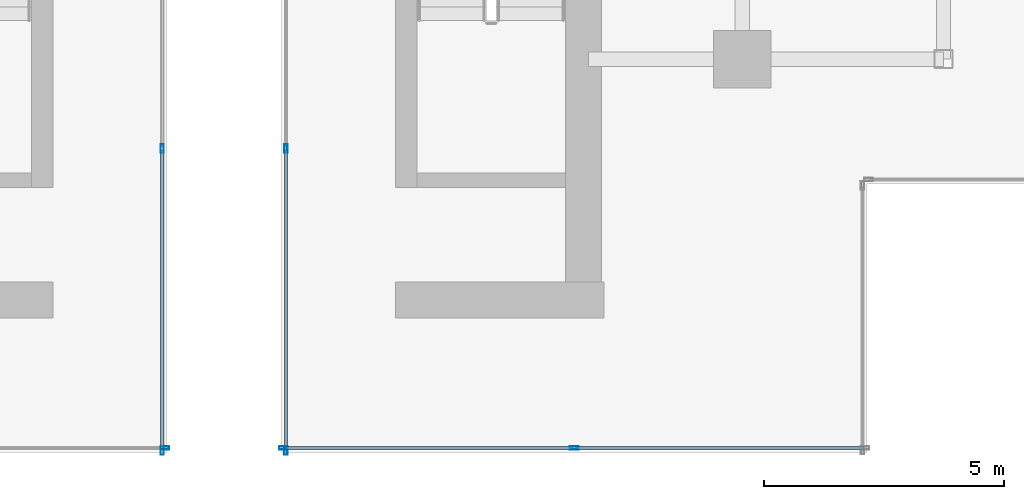
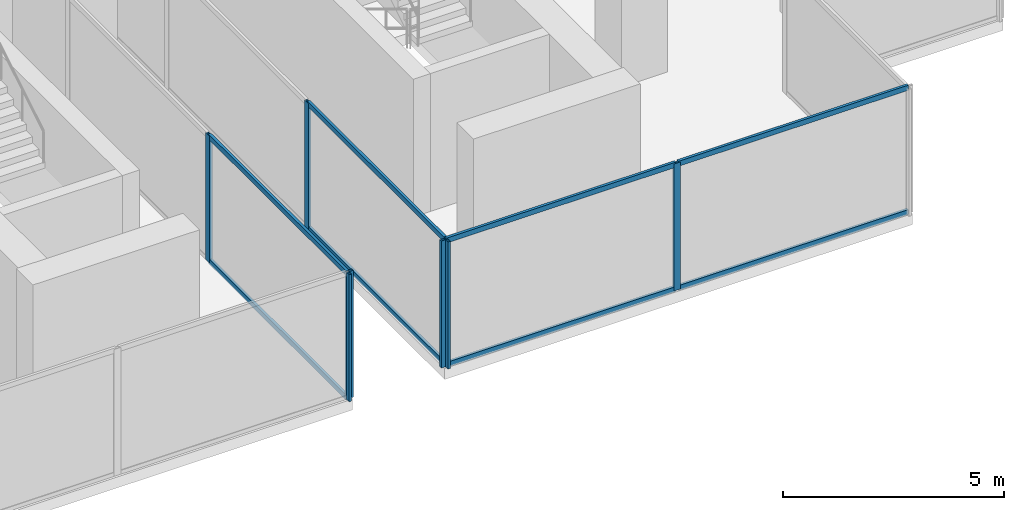
# One storey, part 5 of 25: 15 members, 4 elements without a shape of their own.
"""IFC4 building model written with IfcOpenShell, lengths in metres."""

from ifc_helpers import new_model, si_unit, direction, frame, origin, origin_2d, place, context, subcontext, project, spatial, hollow_rectangle, extrude, source, transform, mapped, material, material_profile, profile_set, type_object, type_shapes, element, aggregate, save


model = new_model("IFC4")

# Units and contexts
model_context = context("Model", 3, precision=1e-05, world=origin(), true_north=direction((0.0, 1.0)))
body_context = subcontext(model_context, "Body", "Model", "MODEL_VIEW")
ifc_project = project(units=[si_unit("LENGTHUNIT", "METRE"), si_unit("AREAUNIT", "SQUARE_METRE"), si_unit("VOLUMEUNIT", "CUBIC_METRE"), si_unit("PLANEANGLEUNIT", "RADIAN"), si_unit("MASSUNIT", "GRAM", prefix="KILO")], contexts=[model_context])

# Site, building, storey
site_placement = place(None, origin())
site = spatial("IfcSite", under=ifc_project, at=site_placement, CompositionType="ELEMENT")
building_placement = place(site_placement, origin())
building = spatial("IfcBuilding", under=site, at=building_placement, Name="Krantzveldt Concourse Tower", CompositionType="ELEMENT")
storey_placement = place(building_placement, frame((0.0, 0.0, 367.050048828125)))
storey = spatial("IfcBuildingStorey", under=building, at=storey_placement, Name="L90", CompositionType="ELEMENT", Elevation=367.050048828125)

# Curtain wall, member
ifc_material = material(Name="Anodised aluminium 6063-T6", Category="aluminium")
curtain_wall_type = type_object("IfcCurtainWallType", Name="CW7", PredefinedType="USERDEFINED", material=ifc_material)
curtain_wall_1_placement = place(storey_placement, origin())
curtain_wall_1 = element("IfcCurtainWall", 1, at=curtain_wall_1_placement, inside=storey, type_object=curtain_wall_type, Name="CW-L90-WEST-00", ObjectType="UNITISED CURTAIN WALL", PredefinedType="USERDEFINED")
ifc_material_profile_1 = material_profile(ifc_material, hollow_rectangle(XDim=0.070068359375, YDim=0.179931640625, WallThickness=0.0048828125, at=origin_2d()), Name="Anodised aluminium 6063-T6", Category="aluminium")
ifc_profile_set_1 = profile_set([ifc_material_profile_1], Name="Anodised aluminium 6063-T6 - ALU-MULL 180x70x5")
member_type_1 = type_object("IfcMemberType", Name="CW-MUL-180", PredefinedType="MULLION", material=ifc_profile_set_1)
shared_shape_1 = source(origin(), body_context, "Body", "SweptSolid", [
    extrude(hollow_rectangle(XDim=0.070068359375, YDim=0.179931640625, WallThickness=0.0048828125, at=origin_2d()), origin(), (0.0, 0.0, 1.0), 3.5),
])
type_shapes(member_type_1, [shared_shape_1])
member_1_placement = place(storey_placement, frame((34.764892578125, 7.7900390625, 0.0), z_axis=(0.0, 0.0, 1.0), x_axis=(0.0, 1.0, 0.0)))
member_1 = element("IfcMember", 2, at=member_1_placement, type_object=member_type_1, Name="CW-CRN mullion 3", PredefinedType="MULLION", context=body_context, shape_type="MappedRepresentation", body=[
    mapped(shared_shape_1, transform((0.0, 0.0, 0.0), x_axis=(1.0, 0.0, 0.0), y_axis=(0.0, 1.0, 0.0), z_axis=(0.0, 0.0, 1.0), scale=1.0)),
])
aggregate(curtain_wall_1, [member_1])

# Curtain wall, members
curtain_wall_2_placement = place(storey_placement, origin())
curtain_wall_2 = element("IfcCurtainWall", 3, at=curtain_wall_2_placement, inside=storey, type_object=curtain_wall_type, Name="CW-L90-WEST-01", ObjectType="UNITISED CURTAIN WALL", PredefinedType="USERDEFINED")
member_2_placement = place(storey_placement, frame((34.7099609375, 7.735107421875, 0.0), z_axis=(0.0, 0.0, 1.0), x_axis=(-1.0, 0.0, 0.0)))
member_2 = element("IfcMember", 4, at=member_2_placement, type_object=member_type_1, Name="CW-CRN mullion 1", PredefinedType="MULLION", context=body_context, shape_type="MappedRepresentation", body=[
    mapped(shared_shape_1, transform((0.0, 0.0, 0.0), x_axis=(1.0, 0.0, 0.0), y_axis=(0.0, 1.0, 0.0), z_axis=(0.0, 0.0, 1.0), scale=1.0)),
])
member_3_placement = place(storey_placement, frame((34.7099609375, 14.033447265625, 0.0), z_axis=(0.0, 0.0, 1.0), x_axis=(-1.0, 0.0, 0.0)))
member_3 = element("IfcMember", 5, at=member_3_placement, type_object=member_type_1, Name="CW-CRN mullion 2", PredefinedType="MULLION", context=body_context, shape_type="MappedRepresentation", body=[
    mapped(shared_shape_1, transform((0.0, 0.0, 0.0), x_axis=(1.0, 0.0, 0.0), y_axis=(0.0, 1.0, 0.0), z_axis=(0.0, 0.0, 1.0), scale=1.0)),
])

curtain_wall_3_placement = place(storey_placement, origin())
curtain_wall_3 = element("IfcCurtainWall", 6, at=curtain_wall_3_placement, inside=storey, type_object=curtain_wall_type, Name="CW-L90-EAST-00", ObjectType="UNITISED CURTAIN WALL", PredefinedType="USERDEFINED")
member_4_placement = place(storey_placement, frame((37.235107421875, 7.7900390625, 0.0), z_axis=(0.0, 0.0, 1.0), x_axis=(0.0, 1.0, 0.0)))
member_4 = element("IfcMember", 7, at=member_4_placement, type_object=member_type_1, Name="CW-CRN mullion 1", PredefinedType="MULLION", context=body_context, shape_type="MappedRepresentation", body=[
    mapped(shared_shape_1, transform((0.0, 0.0, 0.0), x_axis=(1.0, 0.0, 0.0), y_axis=(0.0, 1.0, 0.0), z_axis=(0.0, 0.0, 1.0), scale=1.0)),
])
member_5_placement = place(storey_placement, frame((43.300048828125, 7.7900390625, 0.0), z_axis=(0.0, 0.0, 1.0), x_axis=(0.0, 1.0, 0.0)))
member_5 = element("IfcMember", 8, at=member_5_placement, type_object=member_type_1, Name="CW-CRN mullion 2", PredefinedType="MULLION", context=body_context, shape_type="MappedRepresentation", body=[
    mapped(shared_shape_1, transform((0.0, 0.0, 0.0), x_axis=(1.0, 0.0, 0.0), y_axis=(0.0, 1.0, 0.0), z_axis=(0.0, 0.0, 1.0), scale=1.0)),
])

curtain_wall_4_placement = place(storey_placement, origin())
curtain_wall_4 = element("IfcCurtainWall", 9, at=curtain_wall_4_placement, inside=storey, type_object=curtain_wall_type, Name="CW-L90-EAST-07", ObjectType="UNITISED CURTAIN WALL", PredefinedType="USERDEFINED")
member_6_placement = place(storey_placement, frame((37.2900390625, 14.033447265625, 0.0), z_axis=(0.0, 0.0, 1.0), x_axis=(1.0, 0.0, 0.0)))
member_6 = element("IfcMember", 10, at=member_6_placement, type_object=member_type_1, Name="CW-CRN mullion 6", PredefinedType="MULLION", context=body_context, shape_type="MappedRepresentation", body=[
    mapped(shared_shape_1, transform((0.0, 0.0, 0.0), x_axis=(1.0, 0.0, 0.0), y_axis=(0.0, 1.0, 0.0), z_axis=(0.0, 0.0, 1.0), scale=1.0)),
])
member_7_placement = place(storey_placement, frame((37.2900390625, 7.735107421875, 0.0), z_axis=(0.0, 0.0, 1.0), x_axis=(1.0, 0.0, 0.0)))
member_7 = element("IfcMember", 11, at=member_7_placement, type_object=member_type_1, Name="CW-CRN mullion 7", PredefinedType="MULLION", context=body_context, shape_type="MappedRepresentation", body=[
    mapped(shared_shape_1, transform((0.0, 0.0, 0.0), x_axis=(1.0, 0.0, 0.0), y_axis=(0.0, 1.0, 0.0), z_axis=(0.0, 0.0, 1.0), scale=1.0)),
])

# Member
ifc_material_profile_2 = material_profile(ifc_material, hollow_rectangle(XDim=0.070068359375, YDim=0.139892578125, WallThickness=0.0048828125, at=origin_2d()), Name="Anodised aluminium 6063-T6", Category="aluminium")
ifc_profile_set_2 = profile_set([ifc_material_profile_2], Name="Anodised aluminium 6063-T6 - ALU-TRAN 140x70x5")
member_type_2 = type_object("IfcMemberType", Name="CW-TRN-150", PredefinedType="USERDEFINED", material=ifc_profile_set_2)
shared_shape_2 = source(origin(), body_context, "Body", "SweptSolid", [
    extrude(hollow_rectangle(XDim=0.070068359375, YDim=0.139892578125, WallThickness=0.0048828125, at=origin_2d()), origin(), (0.0, 0.0, 1.0), 5.9951171875),
])
member_8_placement = place(storey_placement, frame((43.3349609375, 7.7900390625, 0.034912109375), z_axis=(1.0, 0.0, 0.0), x_axis=(0.0, 1.0, 0.0)))
member_8 = element("IfcMember", 12, at=member_8_placement, type_object=member_type_2, Name="CW-CRN transom 2.1", ObjectType="TRANSOM", PredefinedType="USERDEFINED", context=body_context, shape_type="MappedRepresentation", body=[
    mapped(shared_shape_2, transform((0.0, 0.0, 0.0), x_axis=(1.0, 0.0, 0.0), y_axis=(0.0, 1.0, 0.0), z_axis=(0.0, 0.0, 1.0), scale=1.0)),
])

member_9_placement = place(storey_placement, frame((43.3349609375, 7.7900390625, 3.46484375), z_axis=(1.0, 0.0, 0.0), x_axis=(0.0, 1.0, 0.0)))
member_9 = element("IfcMember", 13, at=member_9_placement, type_object=member_type_2, Name="CW-CRN transom 2.2", ObjectType="TRANSOM", PredefinedType="USERDEFINED", context=body_context, shape_type="MappedRepresentation", body=[
    mapped(shared_shape_2, transform((0.0, 0.0, 0.0), x_axis=(1.0, 0.0, 0.0), y_axis=(0.0, 1.0, 0.0), z_axis=(0.0, 0.0, 1.0), scale=1.0)),
])

shared_shape_3 = source(origin(), body_context, "Body", "SweptSolid", [
    extrude(hollow_rectangle(XDim=0.070068359375, YDim=0.139892578125, WallThickness=0.0048828125, at=origin_2d()), origin(), (0.0, 0.0, 1.0), 5.994873046875),
])
member_10_placement = place(storey_placement, frame((37.27001953125, 7.7900390625, 0.034912109375), z_axis=(1.0, 0.0, 0.0), x_axis=(0.0, 1.0, 0.0)))
member_10 = element("IfcMember", 14, at=member_10_placement, type_object=member_type_2, Name="CW-CRN transom 1.1", ObjectType="TRANSOM", PredefinedType="USERDEFINED", context=body_context, shape_type="MappedRepresentation", body=[
    mapped(shared_shape_3, transform((0.0, 0.0, 0.0), x_axis=(1.0, 0.0, 0.0), y_axis=(0.0, 1.0, 0.0), z_axis=(0.0, 0.0, 1.0), scale=1.0)),
])

member_11_placement = place(storey_placement, frame((37.27001953125, 7.7900390625, 3.46484375), z_axis=(1.0, 0.0, 0.0), x_axis=(0.0, 1.0, 0.0)))
member_11 = element("IfcMember", 15, at=member_11_placement, type_object=member_type_2, Name="CW-CRN transom 1.2", ObjectType="TRANSOM", PredefinedType="USERDEFINED", context=body_context, shape_type="MappedRepresentation", body=[
    mapped(shared_shape_3, transform((0.0, 0.0, 0.0), x_axis=(1.0, 0.0, 0.0), y_axis=(0.0, 1.0, 0.0), z_axis=(0.0, 0.0, 1.0), scale=1.0)),
])

aggregate(curtain_wall_3, [member_4, member_5, member_10, member_11, member_8, member_9])

shared_shape_4 = source(origin(), body_context, "Body", "SweptSolid", [
    extrude(hollow_rectangle(XDim=0.070068359375, YDim=0.139892578125, WallThickness=0.0048828125, at=origin_2d()), origin(), (0.0, 0.0, 1.0), 6.228271484375),
])
type_shapes(member_type_2, [shared_shape_2, shared_shape_3, shared_shape_4])
member_12_placement = place(storey_placement, frame((34.7099609375, 7.77001953125, 0.034912109375), z_axis=(0.0, 1.0, 0.0), x_axis=(-1.0, 0.0, 0.0)))
member_12 = element("IfcMember", 16, at=member_12_placement, type_object=member_type_2, Name="CW-CRN transom 1.1", ObjectType="TRANSOM", PredefinedType="USERDEFINED", context=body_context, shape_type="MappedRepresentation", body=[
    mapped(shared_shape_4, transform((0.0, 0.0, 0.0), x_axis=(1.0, 0.0, 0.0), y_axis=(0.0, 1.0, 0.0), z_axis=(0.0, 0.0, 1.0), scale=1.0)),
])

member_13_placement = place(storey_placement, frame((34.7099609375, 7.77001953125, 3.46484375), z_axis=(0.0, 1.0, 0.0), x_axis=(-1.0, 0.0, 0.0)))
member_13 = element("IfcMember", 17, at=member_13_placement, type_object=member_type_2, Name="CW-CRN transom 1.2", ObjectType="TRANSOM", PredefinedType="USERDEFINED", context=body_context, shape_type="MappedRepresentation", body=[
    mapped(shared_shape_4, transform((0.0, 0.0, 0.0), x_axis=(1.0, 0.0, 0.0), y_axis=(0.0, 1.0, 0.0), z_axis=(0.0, 0.0, 1.0), scale=1.0)),
])

aggregate(curtain_wall_2, [member_2, member_3, member_12, member_13])

member_14_placement = place(storey_placement, frame((37.2900390625, 13.998291015625, 0.034912109375), z_axis=(0.0, -1.0, 0.0), x_axis=(1.0, 0.0, 0.0)))
member_14 = element("IfcMember", 18, at=member_14_placement, type_object=member_type_2, Name="CW-CRN transom 6.1", ObjectType="TRANSOM", PredefinedType="USERDEFINED", context=body_context, shape_type="MappedRepresentation", body=[
    mapped(shared_shape_4, transform((0.0, 0.0, 0.0), x_axis=(1.0, 0.0, 0.0), y_axis=(0.0, 1.0, 0.0), z_axis=(0.0, 0.0, 1.0), scale=1.0)),
])

member_15_placement = place(storey_placement, frame((37.2900390625, 13.998291015625, 3.46484375), z_axis=(0.0, -1.0, 0.0), x_axis=(1.0, 0.0, 0.0)))
member_15 = element("IfcMember", 19, at=member_15_placement, type_object=member_type_2, Name="CW-CRN transom 6.2", ObjectType="TRANSOM", PredefinedType="USERDEFINED", context=body_context, shape_type="MappedRepresentation", body=[
    mapped(shared_shape_4, transform((0.0, 0.0, 0.0), x_axis=(1.0, 0.0, 0.0), y_axis=(0.0, 1.0, 0.0), z_axis=(0.0, 0.0, 1.0), scale=1.0)),
])

aggregate(curtain_wall_4, [member_6, member_7, member_14, member_15])

save(model, "model.ifc")
